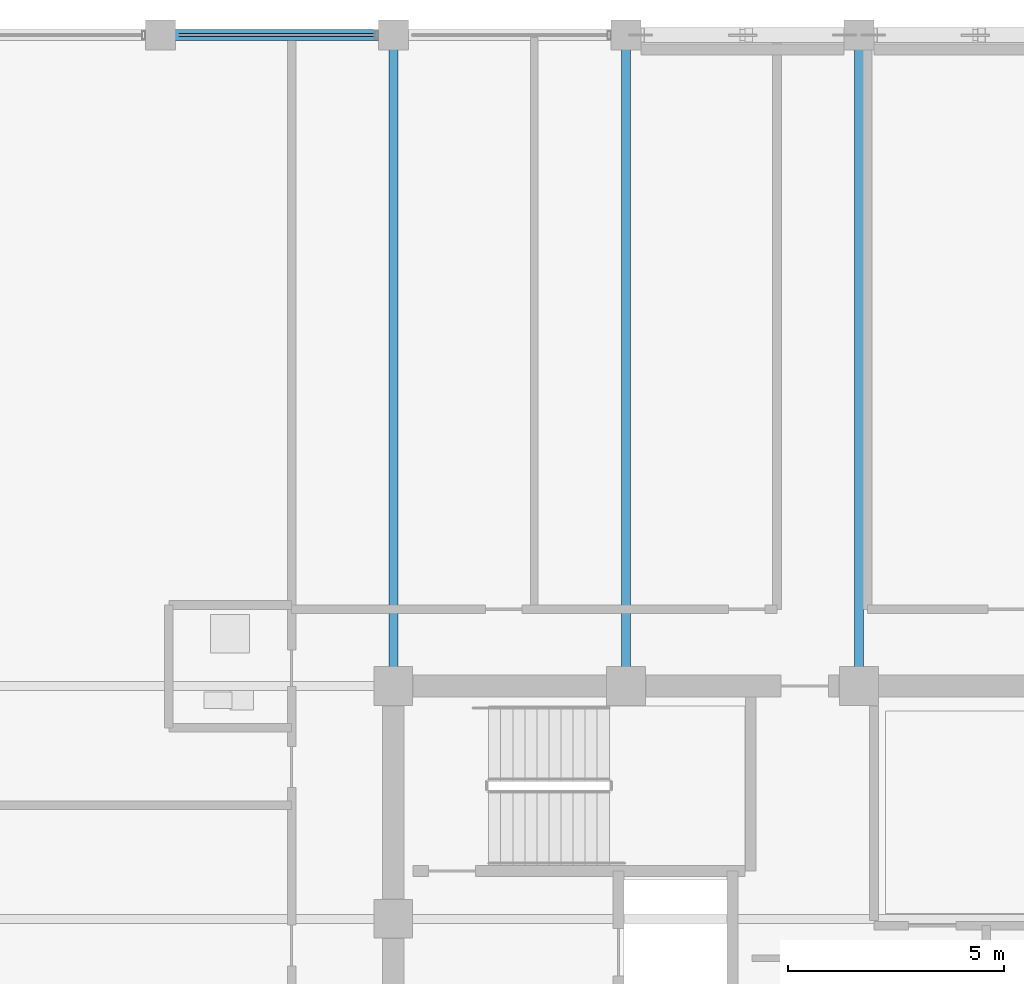
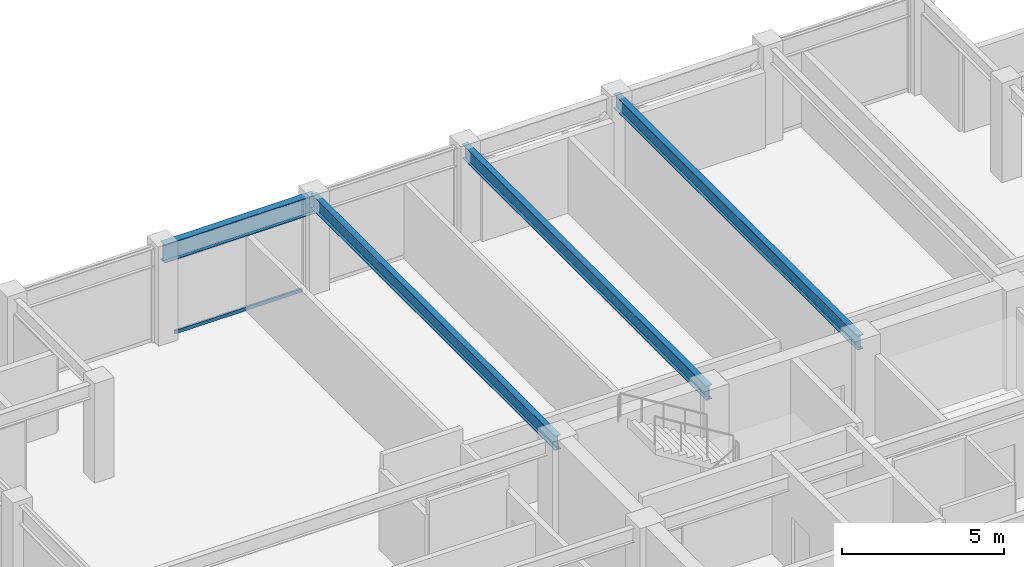
# One storey, part 16 of 30: 4 beams, 1 member, 1 element without a shape of its own.
"""IFC4 building model written with IfcOpenShell, lengths in metres."""

import ifcopenshell
import ifcopenshell.guid

model = None  # the IFC model being written
_history = None  # IfcOwnerHistory: only IFC2X3 demands one
_inside = {}  # id of a spatial element -> (the spatial element, [elements in it])
_under = {}  # id of a project, library or spatial element -> (it, [spatial elements below it])
_declared = {}  # id of a project -> (the project, [libraries it declares])
_typed = {}  # id of a type object -> (the type object, [elements of that type])
_made_of = {}  # id of a material, layer set ... -> (it, [elements and type objects made of it])


def new_model(schema):
    """Start an empty IFC model of exactly this schema.

    Asked for "IFC4X3", IfcOpenShell would pick the latest addendum, in which some entities
    have other attributes; the version numbers below select the first issue.
    IFC2X3 requires an IfcOwnerHistory on every rooted entity: one is made here for all.
    """
    global model, _history
    if schema == "IFC4X3":
        model = ifcopenshell.file(schema_version=(4, 3, 0, 0))
    else:
        model = ifcopenshell.file(schema=schema)
    _inside.clear()
    _under.clear()
    _declared.clear()
    _typed.clear()
    _made_of.clear()
    _history = None
    if model.schema == "IFC2X3":
        org = make("IfcOrganization", Name="unknown")
        user = make(
            "IfcPersonAndOrganization",
            ThePerson=make("IfcPerson", FamilyName="unknown"),
            TheOrganization=org,
        )
        app = make(
            "IfcApplication",
            ApplicationDeveloper=org,
            Version="unknown",
            ApplicationFullName="unknown",
            ApplicationIdentifier="unknown",
        )
        _history = make(
            "IfcOwnerHistory",
            OwningUser=user,
            OwningApplication=app,
            ChangeAction="ADDED",
            CreationDate=0,
        )
    return model


def make(cls, **values):
    """One entity of the class cls with the attributes given. An attribute that is None is left unset."""
    return model.create_entity(
        cls, **{name: value for name, value in values.items() if value is not None}
    )


def rooted(cls, **values):
    """An entity with a GlobalId (a new one), such as an element, a storey or a relation."""
    return make(cls, GlobalId=ifcopenshell.guid.new(), OwnerHistory=_history, **values)


def si_unit(unit_type, name, prefix=None):
    """IfcSIUnit, for example si_unit("LENGTHUNIT", "METRE", prefix="MILLI")."""
    return make("IfcSIUnit", UnitType=unit_type, Prefix=prefix, Name=name)


def assignment(units):
    """IfcUnitAssignment: the units of a project."""
    return None if units is None else make("IfcUnitAssignment", Units=units)


def point(xyz):
    """IfcCartesianPoint."""
    return None if xyz is None else make("IfcCartesianPoint", Coordinates=xyz)


def direction(xyz):
    """IfcDirection."""
    return None if xyz is None else make("IfcDirection", DirectionRatios=xyz)


def frame(location, z_axis=None, x_axis=None):
    """IfcAxis2Placement3D, a coordinate frame: its origin and axes. An axis left out is left unset."""
    return make(
        "IfcAxis2Placement3D",
        Location=point(location),
        Axis=direction(z_axis),
        RefDirection=direction(x_axis),
    )


def frame_2d(location, x_axis=None):
    """IfcAxis2Placement2D, a coordinate frame in the plane: its origin and x axis."""
    return make(
        "IfcAxis2Placement2D", Location=point(location), RefDirection=direction(x_axis)
    )


def origin():
    """The frame at (0, 0, 0) with its axes left unset."""
    return frame((0.0, 0.0, 0.0))


def origin_2d():
    """The frame at (0, 0) in the plane with its x axis left unset."""
    return frame_2d((0.0, 0.0))


def place(relative_to, where):
    """IfcLocalPlacement: puts the frame where relative to a parent placement (None: the world)."""
    return make(
        "IfcLocalPlacement", PlacementRelTo=relative_to, RelativePlacement=where
    )


def context(
    kind, dimensions, precision=None, world=None, true_north=None, identifier=None
):
    """IfcGeometricRepresentationContext, for example the 3D "Model" context."""
    return make(
        "IfcGeometricRepresentationContext",
        ContextIdentifier=identifier,
        ContextType=kind,
        CoordinateSpaceDimension=dimensions,
        Precision=precision,
        WorldCoordinateSystem=world,
        TrueNorth=true_north,
    )


def subcontext(parent, identifier, kind, view, scale=None):
    """IfcGeometricRepresentationSubContext, for example "Body" below "Model"."""
    return make(
        "IfcGeometricRepresentationSubContext",
        ContextIdentifier=identifier,
        ContextType=kind,
        ParentContext=parent,
        TargetScale=scale,
        TargetView=view,
    )


def project(units=None, contexts=None):
    """IfcProject with its units and contexts."""
    return rooted(
        "IfcProject",
        Name="project",
        RepresentationContexts=contexts,
        UnitsInContext=assignment(units),
    )


def spatial(cls, under=None, at=None, **own):
    """A site, building, storey or space (cls), placed at a placement, below another one or the project."""
    s = rooted(cls, ObjectPlacement=at, **own)
    if under is not None:
        _under.setdefault(under.id(), (under, []))[1].append(s)
    return s


def profile(cls, at=None, kind="AREA", **sizes):
    """A parametric profile (cls). Its sizes go by their IFC names, for example OverallWidth=200.0."""
    return make(cls, ProfileType=kind, Position=at, **sizes)


def hollow_rectangle(**sizes):
    """IfcRectangleHollowProfileDef."""
    return profile("IfcRectangleHollowProfileDef", **sizes)


def i_section(**sizes):
    """IfcIShapeProfileDef."""
    return profile("IfcIShapeProfileDef", **sizes)


def extrude(swept, where, along, depth):
    """IfcExtrudedAreaSolid: the profile swept, set in the frame where, extruded along a direction by depth."""
    return make(
        "IfcExtrudedAreaSolid",
        SweptArea=swept,
        Position=where,
        ExtrudedDirection=direction(along),
        Depth=depth,
    )


def shape(context_of_items, identifier, shape_type, items):
    """IfcShapeRepresentation: the items that make up one representation, for example the "Body"."""
    return make(
        "IfcShapeRepresentation",
        ContextOfItems=context_of_items,
        RepresentationIdentifier=identifier,
        RepresentationType=shape_type,
        Items=items,
    )


def material(Name=None, Category=None):
    """IfcMaterial."""
    return make("IfcMaterial", Name=Name, Category=Category)


def layer(
    of_material, thickness, ventilated=None, Name=None, Category=None, Priority=None
):
    """IfcMaterialLayer: one layer of a wall or slab, of a material (None: an air gap)."""
    return make(
        "IfcMaterialLayer",
        Material=of_material,
        LayerThickness=thickness,
        IsVentilated=ventilated,
        Name=Name,
        Category=Category,
        Priority=Priority,
    )


def layer_set(layers, Name=None):
    """IfcMaterialLayerSet."""
    return make("IfcMaterialLayerSet", MaterialLayers=layers, LayerSetName=Name)


def material_profile(
    of_material, cross_section, Name=None, Category=None, Priority=None
):
    """IfcMaterialProfile: a cross section and its material."""
    return make(
        "IfcMaterialProfile",
        Name=Name,
        Material=of_material,
        Profile=cross_section,
        Priority=Priority,
        Category=Category,
    )


def profile_set(profiles, Name=None, composite=None):
    """IfcMaterialProfileSet."""
    return make(
        "IfcMaterialProfileSet",
        Name=Name,
        MaterialProfiles=profiles,
        CompositeProfile=composite,
    )


def made_of(thing, what):
    """Note that an element or type object is made of a material, layer set ...; save() writes the relation."""
    if what is not None:
        _made_of.setdefault(what.id(), (what, []))[1].append(thing)
    return thing


def type_object(cls, material=None, **own):
    """A type object (cls), such as IfcWallType, which elements share."""
    return made_of(rooted(cls, **own), material)


def element(
    cls,
    number,
    at=None,
    inside=None,
    cuts=None,
    type_object=None,
    material=None,
    context=None,
    identifier="Body",
    shape_type=None,
    held_by="IfcProductDefinitionShape",
    body=None,
    shapes=None,
    **own,
):
    """One element of the class cls, such as IfcWall. Its Tag is "e" and its number.

    at: its placement. inside: the storey or other place that contains it. cuts: it is an
    opening in that element (IfcRelVoidsElement). A single representation is given by context,
    identifier, shape_type and body (its items); several are given by shapes. held_by: the class
    of the entity that holds the representations. save() writes the other relations.
    """
    e = rooted(cls, Tag="e%d" % number, ObjectPlacement=at, **own)
    if body is not None:
        shapes = [shape(context, identifier, shape_type, body)]
    if shapes is not None:
        e.Representation = make(held_by, Representations=shapes)
    if inside is not None:
        _inside.setdefault(inside.id(), (inside, []))[1].append(e)
    if cuts is not None:
        rooted(
            "IfcRelVoidsElement", RelatingBuildingElement=cuts, RelatedOpeningElement=e
        )
    if type_object is not None:
        _typed.setdefault(type_object.id(), (type_object, []))[1].append(e)
    return made_of(e, material)


def aggregate(whole, parts):
    """IfcRelAggregates: a whole, such as a stair, and the parts it consists of."""
    return rooted("IfcRelAggregates", RelatingObject=whole, RelatedObjects=parts)


def save(model, path):
    """Write the relations noted so far, then the file.

    IfcRelAggregates (storeys below a building ...), IfcRelContainedInSpatialStructure (elements
    in a storey), IfcRelDefinesByType, IfcRelAssociatesMaterial and IfcRelDeclares: one each for
    every whole, place, type object, material and project.
    """
    for whole, parts in _under.values():
        aggregate(whole, parts)
    for where, things in _inside.values():
        rooted(
            "IfcRelContainedInSpatialStructure",
            RelatedElements=things,
            RelatingStructure=where,
        )
    for kind, things in _typed.values():
        rooted("IfcRelDefinesByType", RelatedObjects=things, RelatingType=kind)
    for what, things in _made_of.values():
        rooted("IfcRelAssociatesMaterial", RelatedObjects=things, RelatingMaterial=what)
    for by, libraries in _declared.values():
        rooted("IfcRelDeclares", RelatingContext=by, RelatedDefinitions=libraries)
    model.write(path)


model = new_model("IFC4")

# Units and contexts
model_context = context("Model", 3, precision=1e-05, world=origin(), true_north=direction((0.0, 1.0)))
body_context = subcontext(model_context, "Body", "Model", "MODEL_VIEW")
ifc_project = project(units=[si_unit("LENGTHUNIT", "METRE"), si_unit("AREAUNIT", "SQUARE_METRE"), si_unit("VOLUMEUNIT", "CUBIC_METRE"), si_unit("PLANEANGLEUNIT", "RADIAN"), si_unit("MASSUNIT", "GRAM", prefix="KILO")], contexts=[model_context])

# Site, building, storey
site_placement = place(None, origin())
site = spatial("IfcSite", under=ifc_project, at=site_placement, CompositionType="ELEMENT")
building_placement = place(site_placement, origin())
building = spatial("IfcBuilding", under=site, at=building_placement, Name="Surkhivell Harbour Commons", CompositionType="ELEMENT")
storey_placement = place(building_placement, frame((0.0, 0.0, 307.5)))
storey = spatial("IfcBuildingStorey", under=building, at=storey_placement, Name="L80", CompositionType="ELEMENT", Elevation=307.5)

# Beams
ifc_material_1 = material(Name="Steel S355", Category="steel")
ifc_material_profile_1 = material_profile(ifc_material_1, i_section(OverallWidth=0.2099609375, OverallDepth=0.537109375, WebThickness=0.0107421875, FlangeThickness=0.017333984375, at=origin_2d()), Name="UB533x210x101")
ifc_profile_set_1 = profile_set([ifc_material_profile_1], Name="Steel S355")
beam_type_1 = type_object("IfcBeamType", Name="BM-GRD-533B", PredefinedType="BEAM", material=ifc_profile_set_1)
for number, where, z_axis, x_axis, name in (
    (1, (-10.800048828125, 10.800048828125, 3.301513671875), (0.0, 1.0, 0.0), (-1.0, 0.0, 0.0), "L80 Floor Girder (-10.8,10.8)"),
    (2, (-5.39990234375, 10.800048828125, 3.301513671875), (0.0, 1.0, 0.0), (-1.0, 0.0, 0.0), "L80 Floor Girder (-5.4,10.8)"),
    (3, (0.0, 10.800048828125, 3.301513671875), (0.0, 1.0, 0.0), (-1.0, 0.0, 0.0), "L80 Floor Girder (0.0,10.8)"),
):
    element("IfcBeam", number, at=place(storey_placement, frame(where, z_axis=z_axis, x_axis=x_axis)), inside=storey, type_object=beam_type_1, Name=name, PredefinedType="BEAM", context=body_context, shape_type="SweptSolid", body=[
        extrude(i_section(OverallWidth=0.2099609375, OverallDepth=0.537109375, WebThickness=0.0107421875, FlangeThickness=0.017333984375, at=origin_2d()), origin(), (0.0, 0.0, 1.0), 15.099853515625),
    ])
ifc_material_profile_2 = material_profile(ifc_material_1, i_section(OverallWidth=0.256103515625, OverallDepth=0.693115234375, WebThickness=0.014404296875, FlangeThickness=0.023681640625, at=origin_2d()), Name="UB686x254x170")
ifc_profile_set_2 = profile_set([ifc_material_profile_2], Name="Steel S355")
beam_type_2 = type_object("IfcBeamType", Name="BM-SPN-686", PredefinedType="SPANDREL", material=ifc_profile_set_2)
beam_placement = place(storey_placement, frame((-16.199951171875, 25.89990234375, 3.223388671875), z_axis=(1.0, 0.0, 0.0), x_axis=(0.0, 1.0, 0.0)))
element("IfcBeam", 4, at=beam_placement, inside=storey, type_object=beam_type_2, Name="L80 Tube Spandrel (-16.2,25.9)", PredefinedType="SPANDREL", context=body_context, shape_type="SweptSolid", body=[
    extrude(i_section(OverallWidth=0.256103515625, OverallDepth=0.693115234375, WebThickness=0.014404296875, FlangeThickness=0.023681640625, at=origin_2d()), origin(), (0.0, 0.0, 1.0), 5.39990234375),
])

# Curtain wall, member
ifc_material_2 = material(Name="Anodised pale-metal aluminium and insulated glazing", Category="aluminium")
ifc_layer = layer(ifc_material_2, 0.175048828125)
ifc_layer_set = layer_set([ifc_layer], Name="Anodised pale-metal aluminium and insulated glazing")
curtain_wall_type = type_object("IfcCurtainWallType", Name="CW-SYS-Z4", PredefinedType="NOTDEFINED", material=ifc_layer_set)
curtain_wall_placement = place(storey_placement, origin())
curtain_wall = element("IfcCurtainWall", 5, at=curtain_wall_placement, inside=storey, type_object=curtain_wall_type, Name="L80 Curtain Wall CW-L80-E07S2", PredefinedType="NOTDEFINED")
ifc_material_3 = material(Name="Champagne anodised aluminium alloy 6063-T6", Category="aluminium")
ifc_material_profile_3 = material_profile(ifc_material_3, hollow_rectangle(XDim=0.070068359375, YDim=0.1298828125, WallThickness=0.00341796875, at=origin_2d()), Name="ALU-TRAN-70x130")
ifc_profile_set_3 = profile_set([ifc_material_profile_3], Name="Champagne anodised aluminium alloy 6063-T6")
member_type = type_object("IfcMemberType", Name="CWT-130", PredefinedType="USERDEFINED", material=ifc_profile_set_3)
member_placement = place(storey_placement, frame((-11.22705078125, 25.89990234375, 0.06494140625), z_axis=(-1.0, 0.0, 0.0), x_axis=(0.0, -1.0, 0.0)))
member = element("IfcMember", 6, at=member_placement, type_object=member_type, Name="CW-Z4 transom 2.1", ObjectType="TRANSOM", PredefinedType="USERDEFINED", context=body_context, shape_type="SweptSolid", body=[
    extrude(hollow_rectangle(XDim=0.070068359375, YDim=0.1298828125, WallThickness=0.00341796875, at=origin_2d()), origin(), (0.0, 0.0, 1.0), 4.5458984375),
])
aggregate(curtain_wall, [member])

save(model, "model.ifc")
